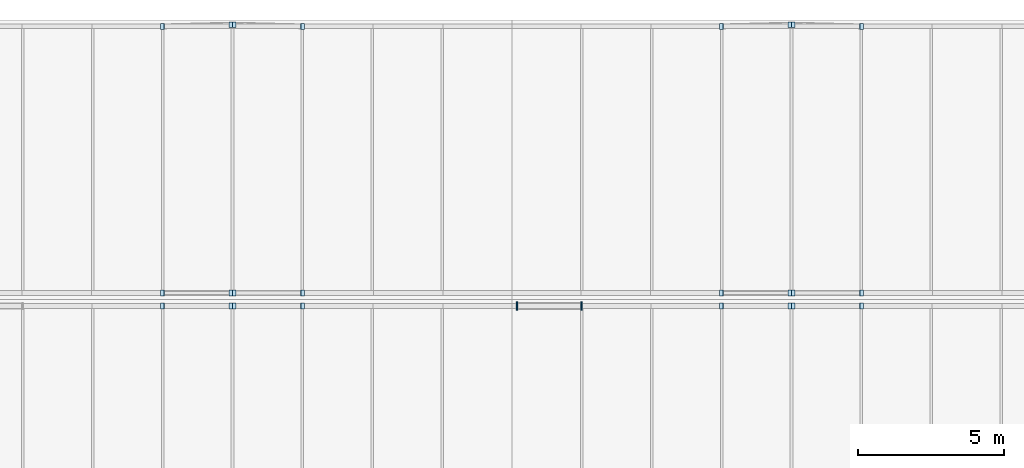
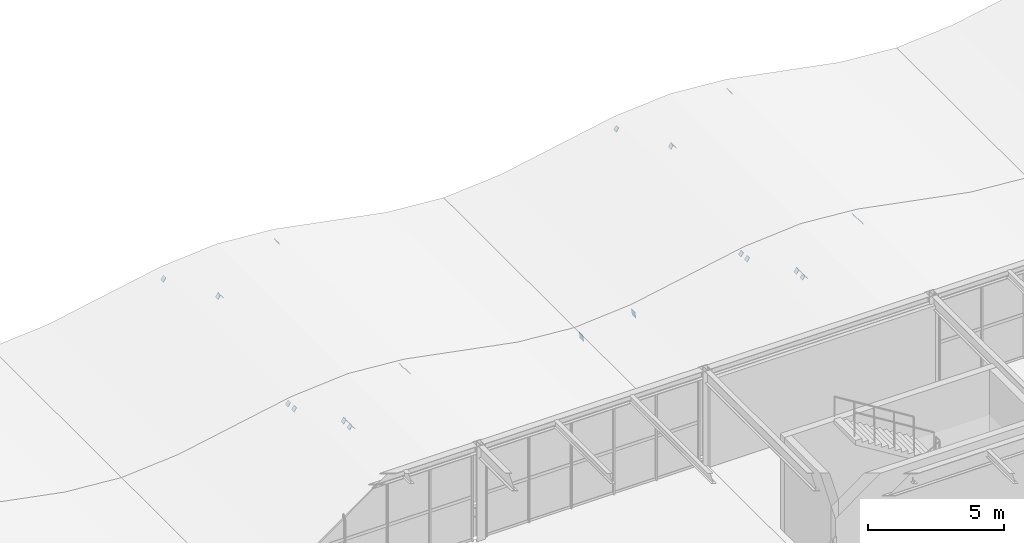
# One storey, part 145 of 170: 26 plates.
"""IFC4 building model written with IfcOpenShell, lengths in metres."""

from ifc_helpers import new_model, si_unit, direction, frame, origin, origin_2d, place, context, subcontext, project, spatial, rectangle, extrude, material, layer, layer_set, type_object, element, save


model = new_model("IFC4")

# Units and contexts
model_context = context("Model", 3, precision=1e-05, world=origin(), true_north=direction((0.0, 1.0)))
body_context = subcontext(model_context, "Body", "Model", "MODEL_VIEW")
ifc_project = project(units=[si_unit("LENGTHUNIT", "METRE"), si_unit("AREAUNIT", "SQUARE_METRE"), si_unit("VOLUMEUNIT", "CUBIC_METRE"), si_unit("PLANEANGLEUNIT", "RADIAN"), si_unit("MASSUNIT", "GRAM", prefix="KILO")], contexts=[model_context])

# Site, building, storey
site_placement = place(None, origin())
site = spatial("IfcSite", under=ifc_project, at=site_placement, CompositionType="ELEMENT")
building_placement = place(site_placement, origin())
building = spatial("IfcBuilding", under=site, at=building_placement, Name="Coralgate Yard Interchange", CompositionType="ELEMENT")
storey_placement = place(building_placement, frame((0.0, 0.0, 6.0)))
storey = spatial("IfcBuildingStorey", under=building, at=storey_placement, Name="L01", CompositionType="ELEMENT", Elevation=6.0)

# Plates
ifc_material = material(Name="Structural steel S355J2", Category="steel")
ifc_layer = layer(ifc_material, 0.01806640625)
ifc_layer_set = layer_set([ifc_layer], Name="Structural steel S355J2")
plate_type = type_object("IfcPlateType", Name="PLT-EP-18", PredefinedType="USERDEFINED", material=ifc_layer_set)
for number, where, z_axis, x_axis, name in (
    (1, (67.138427734375, 105.3798828125, -0.678955078125), (0.821435746077, 0.0, -0.570301074054), (0.0, 1.0, 0.0), "Steel hollow section end cap plate CAP-WVBR-R1-W2-N-L-0"),
    (2, (64.801513671875, 105.3798828125, 0.943359375), (-0.821435746077, 0.0, 0.570301074054), (0.0, -1.0, 0.0), "Steel hollow section end cap plate CAP-WVBR-R1-W2-N-L-1"),
    (3, (67.261474609375, 105.3798828125, -0.678955078125), (-0.821435746077, 0.0, -0.570301074054), (0.0, -1.0, 0.0), "Steel hollow section end cap plate CAP-WVBR-R1-W2-N-R-0"),
    (4, (69.598388671875, 105.3798828125, 0.943359375), (0.821435746077, 0.0, 0.570301074054), (0.0, 1.0, 0.0), "Steel hollow section end cap plate CAP-WVBR-R1-W2-N-R-1"),
    (5, (86.33837890625, 105.3798828125, -0.678955078125), (0.821435746077, 0.0, -0.570301074054), (0.0, 1.0, 0.0), "Steel hollow section end cap plate CAP-WVBR-R1-W3-N-L-0"),
    (6, (84.00146484375, 105.3798828125, 0.943359375), (-0.821435746077, 0.0, 0.570301074054), (0.0, -1.0, 0.0), "Steel hollow section end cap plate CAP-WVBR-R1-W3-N-L-1"),
    (7, (86.461669921875, 105.3798828125, -0.678955078125), (-0.821435746077, 0.0, -0.570301074054), (0.0, -1.0, 0.0), "Steel hollow section end cap plate CAP-WVBR-R1-W3-N-R-0"),
    (8, (88.79833984375, 105.3798828125, 0.943359375), (0.821435746077, 0.0, 0.570301074054), (0.0, 1.0, 0.0), "Steel hollow section end cap plate CAP-WVBR-R1-W3-N-R-1"),
    (9, (67.13818359375, 105.820068359375, -0.6787109375), (0.827189409026, 0.0, -0.561923199018), (0.0, 1.0, 0.0), "Steel hollow section end cap plate CAP-WVBR-R2-W2-S-L-0"),
    (10, (64.8017578125, 105.820068359375, 0.908447265625), (-0.827189409026, 0.0, 0.561923199018), (0.0, -1.0, 0.0), "Steel hollow section end cap plate CAP-WVBR-R2-W2-S-L-1"),
    (11, (67.26171875, 105.820068359375, -0.6787109375), (-0.827189409026, 0.0, -0.561923199018), (0.0, -1.0, 0.0), "Steel hollow section end cap plate CAP-WVBR-R2-W2-S-R-0"),
    (12, (69.59814453125, 105.820068359375, 0.908447265625), (0.827189409026, 0.0, 0.561923199018), (0.0, 1.0, 0.0), "Steel hollow section end cap plate CAP-WVBR-R2-W2-S-R-1"),
    (13, (67.138427734375, 115.0400390625, -0.678955078125), (0.821435746077, 0.0, -0.570301074054), (0.0, 1.0, 0.0), "Steel hollow section end cap plate CAP-WVBR-R2-W2-N-L-0"),
    (14, (64.801513671875, 114.97998046875, 0.943359375), (-0.821435746077, 0.0, 0.570301074054), (0.0, -1.0, 0.0), "Steel hollow section end cap plate CAP-WVBR-R2-W2-N-L-1"),
    (15, (67.261474609375, 115.0400390625, -0.678955078125), (-0.821435746077, 0.0, -0.570301074054), (0.0, -1.0, 0.0), "Steel hollow section end cap plate CAP-WVBR-R2-W2-N-R-0"),
    (16, (69.598388671875, 114.97998046875, 0.943359375), (0.821435746077, 0.0, 0.570301074054), (0.0, 1.0, 0.0), "Steel hollow section end cap plate CAP-WVBR-R2-W2-N-R-1"),
    (17, (86.338134765625, 105.820068359375, -0.6787109375), (0.827189409026, 0.0, -0.561923199018), (0.0, 1.0, 0.0), "Steel hollow section end cap plate CAP-WVBR-R2-W3-S-L-0"),
    (18, (84.001708984375, 105.820068359375, 0.908447265625), (-0.827189409026, 0.0, 0.561923199018), (0.0, -1.0, 0.0), "Steel hollow section end cap plate CAP-WVBR-R2-W3-S-L-1"),
    (19, (86.461669921875, 105.820068359375, -0.6787109375), (-0.827189409026, 0.0, -0.561923199018), (0.0, -1.0, 0.0), "Steel hollow section end cap plate CAP-WVBR-R2-W3-S-R-0"),
    (20, (88.79833984375, 105.820068359375, 0.908447265625), (0.827189409026, 0.0, 0.561923199018), (0.0, 1.0, 0.0), "Steel hollow section end cap plate CAP-WVBR-R2-W3-S-R-1"),
    (21, (86.33837890625, 115.0400390625, -0.678955078125), (0.821435746077, 0.0, -0.570301074054), (0.0, 1.0, 0.0), "Steel hollow section end cap plate CAP-WVBR-R2-W3-N-L-0"),
    (22, (84.00146484375, 114.97998046875, 0.943359375), (-0.821435746077, 0.0, 0.570301074054), (0.0, -1.0, 0.0), "Steel hollow section end cap plate CAP-WVBR-R2-W3-N-L-1"),
    (23, (86.461669921875, 115.0400390625, -0.678955078125), (-0.821435746077, 0.0, -0.570301074054), (0.0, -1.0, 0.0), "Steel hollow section end cap plate CAP-WVBR-R2-W3-N-R-0"),
    (24, (88.79833984375, 114.97998046875, 0.943359375), (0.821435746077, 0.0, 0.570301074054), (0.0, 1.0, 0.0), "Steel hollow section end cap plate CAP-WVBR-R2-W3-N-R-1"),
):
    element("IfcPlate", number, at=place(storey_placement, frame(where, z_axis=z_axis, x_axis=x_axis)), inside=storey, type_object=plate_type, Name=name, ObjectType="CAP PLATE", PredefinedType="USERDEFINED", context=body_context, shape_type="SweptSolid", body=[
        extrude(rectangle(XDim=0.197998046875, YDim=0.197998046875, at=origin_2d()), origin(), (0.0, 0.0, 1.0), 0.01806640625),
    ])
for number, where, z_axis, x_axis, name in (
    (25, (76.982177734375, 105.3798828125, -0.079833984375), (-0.993088841046, 0.0, -0.117365045005), (0.0, -1.0, 0.0), "Steel hollow section end cap plate CAP-WSUB-03-0"),
    (26, (79.177978515625, 105.3798828125, 0.179931640625), (0.993088841046, 0.0, 0.117365045005), (0.0, 1.0, 0.0), "Steel hollow section end cap plate CAP-WSUB-03-1"),
):
    element("IfcPlate", number, at=place(storey_placement, frame(where, z_axis=z_axis, x_axis=x_axis)), inside=storey, type_object=plate_type, Name=name, ObjectType="CAP PLATE", PredefinedType="USERDEFINED", context=body_context, shape_type="SweptSolid", body=[
        extrude(rectangle(XDim=0.280029296875, YDim=0.280029296875, at=origin_2d()), origin(), (0.0, 0.0, 1.0), 0.01806640625),
    ])

save(model, "model.ifc")
